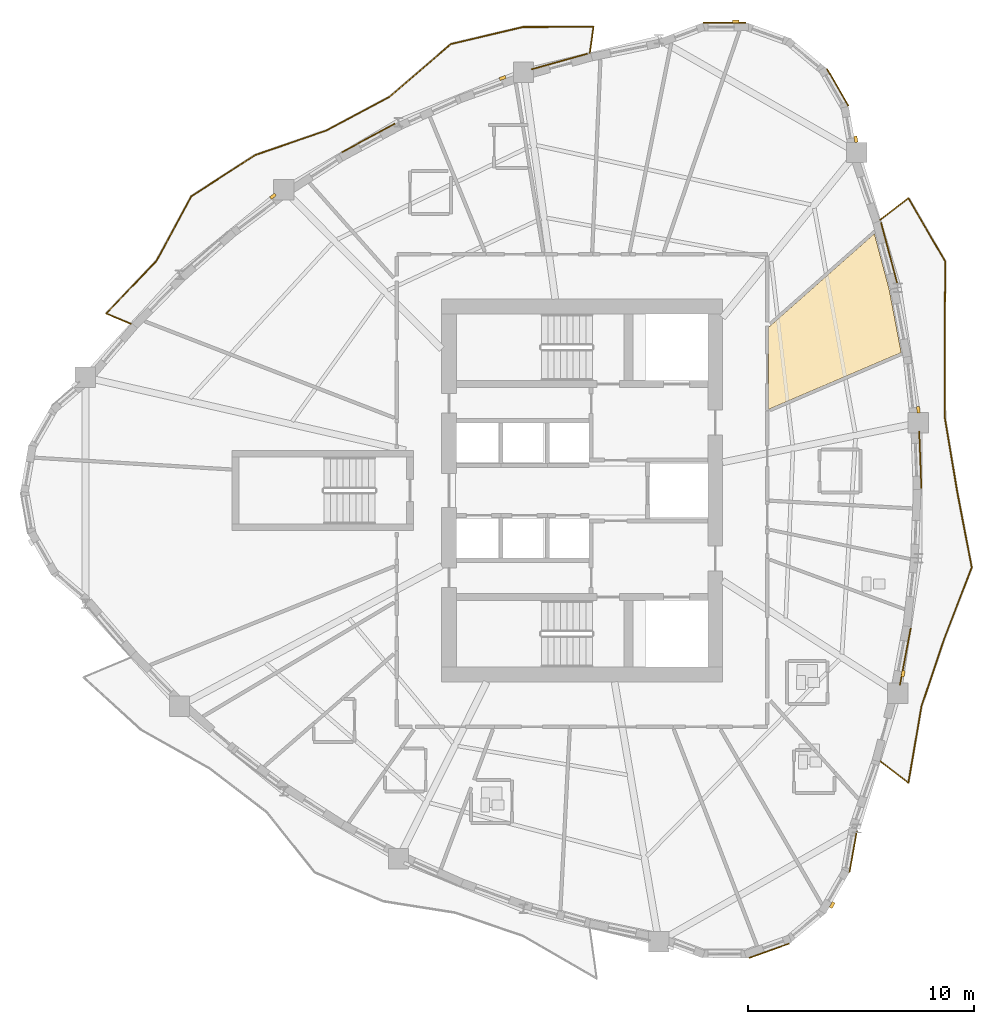
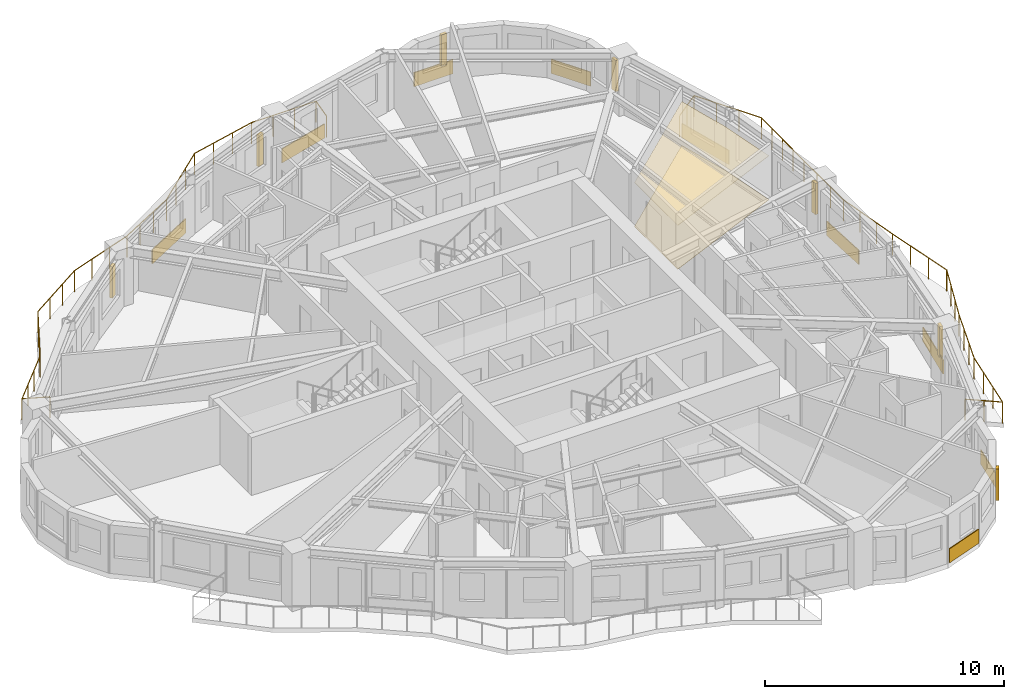
# One storey, part 12 of 13: 11 coverings, 7 shading devices, 2 railings.
"""IFC4 building model written with IfcOpenShell, lengths in metres."""

from ifc_helpers import new_model, si_unit, direction, frame, origin, origin_2d, place, context, subcontext, project, spatial, polyline, rectangle, circle, outline, extrude, source, transform, mapped, material, layer, layer_set, type_object, element, save


model = new_model("IFC4")

# Units and contexts
model_context = context("Model", 3, precision=1e-05, world=origin(), true_north=direction((0.0, 1.0)))
body_context = subcontext(model_context, "Body", "Model", "MODEL_VIEW")
ifc_project = project(units=[si_unit("LENGTHUNIT", "METRE"), si_unit("AREAUNIT", "SQUARE_METRE"), si_unit("VOLUMEUNIT", "CUBIC_METRE"), si_unit("PLANEANGLEUNIT", "RADIAN"), si_unit("MASSUNIT", "GRAM", prefix="KILO")], contexts=[model_context])

# Site, building, storey
site_placement = place(None, origin())
site = spatial("IfcSite", under=ifc_project, at=site_placement, CompositionType="ELEMENT")
building_placement = place(site_placement, origin())
building = spatial("IfcBuilding", under=site, at=building_placement, Name="Qafzar Sky-Pleat Residences", CompositionType="ELEMENT")
storey_placement = place(building_placement, frame((0.0, 0.0, 99.199951171875)))
storey = spatial("IfcBuildingStorey", under=building, at=storey_placement, Name="L29", CompositionType="ELEMENT", Elevation=99.199951171875)

# Coverings
ifc_material_1 = material(Name="Perforated acoustic gypsum board ceiling")
ifc_layer_1 = layer(ifc_material_1, 0.02001953125)
ifc_layer_set_1 = layer_set([ifc_layer_1], Name="Perforated acoustic gypsum board ceiling")
covering_type_1 = type_object("IfcCoveringType", Name="COV-CEIL-ACOUSTIC", PredefinedType="CEILING", material=ifc_layer_set_1)
covering_1_placement = place(storey_placement, frame((0.0, 0.0, 2.239990234375)))
element("IfcCovering", 1, at=covering_1_placement, inside=storey, type_object=covering_type_1, Name="L29 Communal Kitchen Acoustic Ceiling", PredefinedType="CEILING", context=body_context, shape_type="SweptSolid", body=[
    extrude(outline(polyline([(43.91162109375, 34.867431640625), (44.439453125, 32.089599609375), (38.590087890625, 29.58837890625), (38.590087890625, 33.20849609375), (43.25537109375, 37.335205078125), (43.91162109375, 34.867431640625)])), origin(), (0.0, 0.0, 1.0), 0.02001953125),
])
ifc_material_2 = material(Name="Honed porcelain and Riyadh stone tile flooring", Category="masonry")
ifc_layer_2 = layer(ifc_material_2, 0.02001953125)
ifc_layer_set_2 = layer_set([ifc_layer_2], Name="Honed porcelain and Riyadh stone tile flooring")
covering_type_2 = type_object("IfcCoveringType", Name="COV-FLR-PORCELAIN", PredefinedType="FLOORING", material=ifc_layer_set_2)
covering_2_placement = place(storey_placement, origin())
element("IfcCovering", 2, at=covering_2_placement, inside=storey, type_object=covering_type_2, Name="L29 Communal Kitchen Honed Stone Flooring", PredefinedType="FLOORING", context=body_context, shape_type="SweptSolid", body=[
    extrude(outline(polyline([(43.91162109375, 34.867431640625), (44.439453125, 32.089599609375), (38.590087890625, 29.58837890625), (38.590087890625, 33.20849609375), (43.25537109375, 37.335205078125), (43.91162109375, 34.867431640625)])), origin(), (0.0, 0.0, 1.0), 0.02001953125),
])

# Shading devices
ifc_material_3 = material(Name="Honed Riyadh limestone solar fin", Category="masonry")
ifc_layer_3 = layer(ifc_material_3, 0.139892578125)
ifc_layer_set_3 = layer_set([ifc_layer_3], Name="Honed Riyadh limestone solar fin")
shading_device_type = type_object("IfcShadingDeviceType", Name="SHD-FIN-STONE", PredefinedType="SHUTTER", material=ifc_layer_set_3)
shared_shape_1 = source(origin(), body_context, "Body", "SweptSolid", [
    extrude(rectangle(XDim=0.139892578125, YDim=0.280029296875, at=origin_2d()), origin(), (0.0, 0.0, 1.0), 1.60009765625),
])
for number, where, z_axis, x_axis, name in (
    (3, (41.394287109375, 7.69677734375, 0.60009765625), (0.0, 0.0, 1.0), (0.864886560434, -0.501967367047, 0.0), "L29 Limestone Solar Fin 21"),
    (4, (44.522705078125, 17.9111328125, 0.60009765625), (0.0, 0.0, 1.0), (0.982424029178, -0.18666286962, 0.0), "L29 Limestone Solar Fin 25"),
    (5, (45.19873046875, 29.564453125, 0.60009765625), (0.0, 0.0, 1.0), (0.993566321057, 0.11325177995, 0.0), "L29 Limestone Solar Fin 29"),
    (6, (42.439453125, 41.510986328125, 0.60009765625), (0.0, 0.0, 1.0), (0.984675881773, 0.174394403163, 0.0), "L29 Limestone Solar Fin 33"),
    (7, (37.140625, 46.702880859375, 0.60009765625), (0.0, 0.0, 1.0), (-0.006821730637, 0.999976731725, 0.0), "L29 Limestone Solar Fin 37"),
    (8, (26.839111328125, 44.211181640625, 0.60009765625), (0.0, 0.0, 1.0), (-0.338159399338, 0.94108884843, 0.0), "L29 Limestone Solar Fin 41"),
    (9, (16.702880859375, 38.9931640625, 0.60009765625), (0.0, 0.0, 1.0), (-0.602161786865, 0.798374086778, 0.0), "L29 Limestone Solar Fin 45"),
):
    element("IfcShadingDevice", number, at=place(storey_placement, frame(where, z_axis=z_axis, x_axis=x_axis)), inside=storey, type_object=shading_device_type, Name=name, PredefinedType="SHUTTER", context=body_context, shape_type="MappedRepresentation", body=[
        mapped(shared_shape_1, transform((0.0, 0.0, 0.0), x_axis=(1.0, 0.0, 0.0), y_axis=(0.0, 1.0, 0.0), z_axis=(0.0, 0.0, 1.0), scale=1.0)),
    ])

# Coverings
ifc_material_4 = material(Name="Honed Riyadh Tuwaiq limestone cladding", Category="masonry")
ifc_layer_4 = layer(ifc_material_4, 0.044921875)
ifc_layer_set_4 = layer_set([ifc_layer_4], Name="Honed Riyadh Tuwaiq limestone cladding")
covering_type_3 = type_object("IfcCoveringType", Name="COV-CLAD-STONE", PredefinedType="CLADDING", material=ifc_layer_set_4)
shared_shape_2 = source(origin(), body_context, "Body", "SweptSolid", [
    extrude(rectangle(XDim=1.88916015625, YDim=0.044921875, at=origin_2d()), origin(), (0.0, 0.0, 1.0), 0.719970703125),
])
for number, where, z_axis, x_axis, name in (
    (10, (38.609619140625, 5.678955078125, 0.02001953125), (0.0, 0.0, 1.0), (0.941488360606, 0.337045496698, 0.0), "L29 Riyadh Limestone Spandrel Cladding 19"),
    (11, (41.635986328125, 43.80126953125, 0.02001953125), (0.0, 0.0, 1.0), (-0.501956209509, 0.864893036008, 0.0), "L29 Riyadh Limestone Spandrel Cladding 34"),
    (12, (36.63818359375, 46.65625, 0.02001953125), (0.0, 0.0, 1.0), (-0.999976465978, -0.006860575119, 0.0), "L29 Riyadh Limestone Spandrel Cladding 37"),
):
    element("IfcCovering", number, at=place(storey_placement, frame(where, z_axis=z_axis, x_axis=x_axis)), inside=storey, type_object=covering_type_3, Name=name, PredefinedType="CLADDING", context=body_context, shape_type="MappedRepresentation", body=[
        mapped(shared_shape_2, transform((0.0, 0.0, 0.0), x_axis=(1.0, 0.0, 0.0), y_axis=(0.0, 1.0, 0.0), z_axis=(0.0, 0.0, 1.0), scale=1.0)),
    ])
shared_shape_3 = source(origin(), body_context, "Body", "SweptSolid", [
    extrude(rectangle(XDim=1.8369140625, YDim=0.044921875, at=origin_2d()), origin(), (0.0, 0.0, 1.0), 0.719970703125),
])
covering_3_placement = place(storey_placement, frame((42.317626953125, 10.04833984375, 0.02001953125), z_axis=(0.0, 0.0, 1.0), x_axis=(0.174369449256, 0.984680300994, 0.0)))
element("IfcCovering", 13, at=covering_3_placement, inside=storey, type_object=covering_type_3, Name="L29 Riyadh Limestone Spandrel Cladding 22", PredefinedType="CLADDING", context=body_context, shape_type="MappedRepresentation", body=[
    mapped(shared_shape_3, transform((0.0, 0.0, 0.0), x_axis=(1.0, 0.0, 0.0), y_axis=(0.0, 1.0, 0.0), z_axis=(0.0, 0.0, 1.0), scale=1.0)),
])

# Railings
ifc_material_5 = material(Name="Laminated glass and bronze steel balustrade", Category="steel")
railing_type = type_object("IfcRailingType", Name="RAIL-BAL-1100", PredefinedType="BALUSTRADE", material=ifc_material_5)
shared_shape_4 = source(origin(), body_context, "Body", "SweptSolid", [
    extrude(circle(Radius=0.02392578125, at=origin_2d()), frame((0.0, 0.0, 1.076171875), z_axis=(0.792134861586, -0.610346099406, 0.0), x_axis=(0.610346099406, 0.792134861586, 0.0)), (0.0, 0.0, 1.0), 1.578125),
    extrude(circle(Radius=0.02392578125, at=origin_2d()), frame((1.25, -0.963134765625, 1.076171875), z_axis=(0.16829814939, 0.98573613757, 0.0), x_axis=(-0.98573613757, 0.16829814939, 0.0)), (0.0, 0.0, 1.0), 3.4306640625),
    extrude(circle(Radius=0.02392578125, at=origin_2d()), frame((1.827392578125, 2.418701171875, 1.076171875), z_axis=(0.320144738717, 0.947368643281, 0.0), x_axis=(-0.947368643281, 0.320144738717, 0.0)), (0.0, 0.0, 1.0), 3.1953125),
    extrude(circle(Radius=0.02392578125, at=origin_2d()), frame((2.850341796875, 5.44580078125, 1.076171875), z_axis=(0.359283753865, 0.93322836659, 0.0), x_axis=(-0.93322836659, 0.359283753865, 0.0)), (0.0, 0.0, 1.0), 3.328857421875),
    extrude(circle(Radius=0.02392578125, at=origin_2d()), frame((4.04638671875, 8.552490234375, 1.076171875), z_axis=(-0.188514556137, 0.982070395707, 0.0), x_axis=(-0.982070395707, -0.188514556137, 0.0)), (0.0, 0.0, 1.0), 3.455322265625),
    extrude(circle(Radius=0.02392578125, at=origin_2d()), frame((3.39501953125, 11.94580078125, 1.076171875), z_axis=(-0.164227484923, 0.986422492239, 0.0), x_axis=(-0.986422492239, -0.164227484923, 0.0)), (0.0, 0.0, 1.0), 3.23193359375),
    extrude(circle(Radius=0.02392578125, at=origin_2d()), frame((2.8642578125, 15.1337890625, 1.076171875), z_axis=(-0.004201643584, 0.999991173057, 0.0), x_axis=(-0.999991173057, -0.004201643584, 0.0)), (0.0, 0.0, 1.0), 3.31201171875),
    extrude(circle(Radius=0.02392578125, at=origin_2d()), frame((2.850341796875, 18.44580078125, 1.076171875), z_axis=(0.007923359565, 0.999968609694, 0.0), x_axis=(-0.999968609694, 0.007923359565, 0.0)), (0.0, 0.0, 1.0), 3.60498046875),
    extrude(circle(Radius=0.02392578125, at=origin_2d()), frame((2.87890625, 22.05078125, 1.076171875), z_axis=(-0.502320766791, 0.864681355905, 0.0), x_axis=(-0.864681355905, -0.502320766791, 0.0)), (0.0, 0.0, 1.0), 3.24267578125),
    extrude(circle(Radius=0.02392578125, at=origin_2d()), frame((1.25, 24.854736328125, 1.076171875), z_axis=(-0.792134861586, -0.610346099406, 0.0), x_axis=(0.610346099406, -0.792134861586, 0.0)), (0.0, 0.0, 1.0), 1.578125),
    extrude(circle(Radius=0.02099609375, at=origin_2d()), origin(), (0.0, 0.0, 1.0), 1.052001953125),
    extrude(circle(Radius=0.02099609375, at=origin_2d()), frame((0.625, -0.4814453125, 0.0)), (0.0, 0.0, 1.0), 1.052001953125),
    extrude(circle(Radius=0.02099609375, at=origin_2d()), frame((1.25, -0.963134765625, 0.0)), (0.0, 0.0, 1.0), 1.052001953125),
    extrude(circle(Radius=0.02099609375, at=origin_2d()), frame((1.4423828125, 0.1640625, 0.0)), (0.0, 0.0, 1.0), 1.052001953125),
    extrude(circle(Radius=0.02099609375, at=origin_2d()), frame((1.635009765625, 1.29150390625, 0.0)), (0.0, 0.0, 1.0), 1.052001953125),
    extrude(circle(Radius=0.02099609375, at=origin_2d()), frame((1.827392578125, 2.418701171875, 0.0)), (0.0, 0.0, 1.0), 1.052001953125),
    extrude(circle(Radius=0.02099609375, at=origin_2d()), frame((2.16845703125, 3.427734375, 0.0)), (0.0, 0.0, 1.0), 1.052001953125),
    extrude(circle(Radius=0.02099609375, at=origin_2d()), frame((2.50927734375, 4.436767578125, 0.0)), (0.0, 0.0, 1.0), 1.052001953125),
    extrude(circle(Radius=0.02099609375, at=origin_2d()), frame((2.850341796875, 5.44580078125, 0.0)), (0.0, 0.0, 1.0), 1.052001953125),
    extrude(circle(Radius=0.02099609375, at=origin_2d()), frame((3.2490234375, 6.4814453125, 0.0)), (0.0, 0.0, 1.0), 1.052001953125),
    extrude(circle(Radius=0.02099609375, at=origin_2d()), frame((3.647705078125, 7.516845703125, 0.0)), (0.0, 0.0, 1.0), 1.052001953125),
    extrude(circle(Radius=0.02099609375, at=origin_2d()), frame((4.04638671875, 8.552490234375, 0.0)), (0.0, 0.0, 1.0), 1.052001953125),
    extrude(circle(Radius=0.02099609375, at=origin_2d()), frame((3.829345703125, 9.68359375, 0.0)), (0.0, 0.0, 1.0), 1.052001953125),
    extrude(circle(Radius=0.02099609375, at=origin_2d()), frame((3.612060546875, 10.814697265625, 0.0)), (0.0, 0.0, 1.0), 1.052001953125),
    extrude(circle(Radius=0.02099609375, at=origin_2d()), frame((3.39501953125, 11.94580078125, 0.0)), (0.0, 0.0, 1.0), 1.052001953125),
    extrude(circle(Radius=0.02099609375, at=origin_2d()), frame((3.218017578125, 13.008544921875, 0.0)), (0.0, 0.0, 1.0), 1.052001953125),
    extrude(circle(Radius=0.02099609375, at=origin_2d()), frame((3.041259765625, 14.071044921875, 0.0)), (0.0, 0.0, 1.0), 1.052001953125),
    extrude(circle(Radius=0.02099609375, at=origin_2d()), frame((2.8642578125, 15.1337890625, 0.0)), (0.0, 0.0, 1.0), 1.052001953125),
    extrude(circle(Radius=0.02099609375, at=origin_2d()), frame((2.859619140625, 16.23779296875, 0.0)), (0.0, 0.0, 1.0), 1.052001953125),
    extrude(circle(Radius=0.02099609375, at=origin_2d()), frame((2.85498046875, 17.341796875, 0.0)), (0.0, 0.0, 1.0), 1.052001953125),
    extrude(circle(Radius=0.02099609375, at=origin_2d()), frame((2.850341796875, 18.44580078125, 0.0)), (0.0, 0.0, 1.0), 1.052001953125),
    extrude(circle(Radius=0.02099609375, at=origin_2d()), frame((2.857421875, 19.34716796875, 0.0)), (0.0, 0.0, 1.0), 1.052001953125),
    extrude(circle(Radius=0.02099609375, at=origin_2d()), frame((2.86474609375, 20.248291015625, 0.0)), (0.0, 0.0, 1.0), 1.052001953125),
    extrude(circle(Radius=0.02099609375, at=origin_2d()), frame((2.871826171875, 21.1494140625, 0.0)), (0.0, 0.0, 1.0), 1.052001953125),
    extrude(circle(Radius=0.02099609375, at=origin_2d()), frame((2.87890625, 22.05078125, 0.0)), (0.0, 0.0, 1.0), 1.052001953125),
    extrude(circle(Radius=0.02099609375, at=origin_2d()), frame((2.3359375, 22.9853515625, 0.0)), (0.0, 0.0, 1.0), 1.052001953125),
    extrude(circle(Radius=0.02099609375, at=origin_2d()), frame((1.79296875, 23.920166015625, 0.0)), (0.0, 0.0, 1.0), 1.052001953125),
    extrude(circle(Radius=0.02099609375, at=origin_2d()), frame((1.25, 24.854736328125, 0.0)), (0.0, 0.0, 1.0), 1.052001953125),
    extrude(circle(Radius=0.02099609375, at=origin_2d()), frame((0.625, 24.373046875, 0.0)), (0.0, 0.0, 1.0), 1.052001953125),
    extrude(circle(Radius=0.02099609375, at=origin_2d()), frame((0.0, 23.8916015625, 0.0)), (0.0, 0.0, 1.0), 1.052001953125),
])
railing_1_placement = place(storey_placement, frame((43.5078125, 14.05419921875, 0.0)))
element("IfcRailing", 14, at=railing_1_placement, inside=storey, type_object=railing_type, Name="L29 Pleated Balcony 1 Balustrade", PredefinedType="BALUSTRADE", context=body_context, shape_type="MappedRepresentation", body=[
    mapped(shared_shape_4, transform((0.0, 0.0, 0.0), x_axis=(1.0, 0.0, 0.0), y_axis=(0.0, 1.0, 0.0), z_axis=(0.0, 0.0, 1.0), scale=1.0)),
])
shared_shape_5 = source(origin(), body_context, "Body", "SweptSolid", [
    extrude(circle(Radius=0.02392578125, at=origin_2d()), frame((0.0, 0.0, 1.076171875), z_axis=(0.138025835279, 0.990428628825, 0.0), x_axis=(-0.990428628825, 0.138025835279, 0.0)), (0.0, 0.0, 1.0), 1.177978515625),
    extrude(circle(Radius=0.02392578125, at=origin_2d()), frame((0.16259765625, 1.166748046875, 1.076171875), z_axis=(-0.999996662065, -0.002583768388, 0.0), x_axis=(0.002583768388, -0.999996662065, 0.0)), (0.0, 0.0, 1.0), 3.1181640625),
    extrude(circle(Radius=0.02392578125, at=origin_2d()), frame((-2.95556640625, 1.15869140625, 1.076171875), z_axis=(-0.973163944314, -0.230112879882, 0.0), x_axis=(0.230112879882, -0.973163944314, 0.0)), (0.0, 0.0, 1.0), 3.269775390625),
    extrude(circle(Radius=0.02392578125, at=origin_2d()), frame((-6.1376953125, 0.40625, 1.076171875), z_axis=(-0.75763261698, -0.652681252747, 0.0), x_axis=(0.652681252747, -0.75763261698, 0.0)), (0.0, 0.0, 1.0), 3.57080078125),
    extrude(circle(Radius=0.02392578125, at=origin_2d()), frame((-8.843017578125, -1.92431640625, 1.076171875), z_axis=(-0.882195949825, -0.470882475903, 0.0), x_axis=(0.470882475903, -0.882195949825, 0.0)), (0.0, 0.0, 1.0), 3.1435546875),
    extrude(circle(Radius=0.02392578125, at=origin_2d()), frame((-11.6162109375, -3.404541015625, 1.076171875), z_axis=(-0.94559712161, -0.325339950826, 0.0), x_axis=(0.325339950826, -0.94559712161, 0.0)), (0.0, 0.0, 1.0), 3.330322265625),
    extrude(circle(Radius=0.02392578125, at=origin_2d()), frame((-14.765380859375, -4.488037109375, 1.076171875), z_axis=(-0.840181380726, -0.542305492763, 0.0), x_axis=(0.542305492763, -0.840181380726, 0.0)), (0.0, 0.0, 1.0), 3.362060546875),
    extrude(circle(Radius=0.02392578125, at=origin_2d()), frame((-17.590087890625, -6.311279296875, 1.076171875), z_axis=(-0.475515457423, -0.879707365976, 0.0), x_axis=(0.879707365976, -0.475515457423, 0.0)), (0.0, 0.0, 1.0), 3.23828125),
    extrude(circle(Radius=0.02392578125, at=origin_2d()), frame((-19.1298828125, -9.159912109375, 1.076171875), z_axis=(-0.689522572327, -0.724264193683, 0.0), x_axis=(0.724264193683, -0.689522572327, 0.0)), (0.0, 0.0, 1.0), 3.218505859375),
    extrude(circle(Radius=0.02392578125, at=origin_2d()), frame((-21.34912109375, -11.490966796875, 1.076171875), z_axis=(0.922351683959, -0.386351357056, 0.0), x_axis=(0.386351357056, 0.922351683959, 0.0)), (0.0, 0.0, 1.0), 1.177978515625),
    extrude(circle(Radius=0.02099609375, at=origin_2d()), origin(), (0.0, 0.0, 1.0), 1.052001953125),
    extrude(circle(Radius=0.02099609375, at=origin_2d()), frame((0.16259765625, 1.166748046875, 0.0)), (0.0, 0.0, 1.0), 1.052001953125),
    extrude(circle(Radius=0.02099609375, at=origin_2d()), frame((-0.876708984375, 1.1640625, 0.0)), (0.0, 0.0, 1.0), 1.052001953125),
    extrude(circle(Radius=0.02099609375, at=origin_2d()), frame((-1.916259765625, 1.161376953125, 0.0)), (0.0, 0.0, 1.0), 1.052001953125),
    extrude(circle(Radius=0.02099609375, at=origin_2d()), frame((-2.95556640625, 1.15869140625, 0.0)), (0.0, 0.0, 1.0), 1.052001953125),
    extrude(circle(Radius=0.02099609375, at=origin_2d()), frame((-4.016357421875, 0.907958984375, 0.0)), (0.0, 0.0, 1.0), 1.052001953125),
    extrude(circle(Radius=0.02099609375, at=origin_2d()), frame((-5.076904296875, 0.656982421875, 0.0)), (0.0, 0.0, 1.0), 1.052001953125),
    extrude(circle(Radius=0.02099609375, at=origin_2d()), frame((-6.1376953125, 0.40625, 0.0)), (0.0, 0.0, 1.0), 1.052001953125),
    extrude(circle(Radius=0.02099609375, at=origin_2d()), frame((-7.03955078125, -0.37060546875, 0.0)), (0.0, 0.0, 1.0), 1.052001953125),
    extrude(circle(Radius=0.02099609375, at=origin_2d()), frame((-7.941162109375, -1.1474609375, 0.0)), (0.0, 0.0, 1.0), 1.052001953125),
    extrude(circle(Radius=0.02099609375, at=origin_2d()), frame((-8.843017578125, -1.92431640625, 0.0)), (0.0, 0.0, 1.0), 1.052001953125),
    extrude(circle(Radius=0.02099609375, at=origin_2d()), frame((-9.767333984375, -2.417724609375, 0.0)), (0.0, 0.0, 1.0), 1.052001953125),
    extrude(circle(Radius=0.02099609375, at=origin_2d()), frame((-10.69189453125, -2.9111328125, 0.0)), (0.0, 0.0, 1.0), 1.052001953125),
    extrude(circle(Radius=0.02099609375, at=origin_2d()), frame((-11.6162109375, -3.404541015625, 0.0)), (0.0, 0.0, 1.0), 1.052001953125),
    extrude(circle(Radius=0.02099609375, at=origin_2d()), frame((-12.666015625, -3.765625, 0.0)), (0.0, 0.0, 1.0), 1.052001953125),
    extrude(circle(Radius=0.02099609375, at=origin_2d()), frame((-13.715576171875, -4.126953125, 0.0)), (0.0, 0.0, 1.0), 1.052001953125),
    extrude(circle(Radius=0.02099609375, at=origin_2d()), frame((-14.765380859375, -4.488037109375, 0.0)), (0.0, 0.0, 1.0), 1.052001953125),
    extrude(circle(Radius=0.02099609375, at=origin_2d()), frame((-15.70703125, -5.095703125, 0.0)), (0.0, 0.0, 1.0), 1.052001953125),
    extrude(circle(Radius=0.02099609375, at=origin_2d()), frame((-16.6484375, -5.70361328125, 0.0)), (0.0, 0.0, 1.0), 1.052001953125),
    extrude(circle(Radius=0.02099609375, at=origin_2d()), frame((-17.590087890625, -6.311279296875, 0.0)), (0.0, 0.0, 1.0), 1.052001953125),
    extrude(circle(Radius=0.02099609375, at=origin_2d()), frame((-18.103271484375, -7.2607421875, 0.0)), (0.0, 0.0, 1.0), 1.052001953125),
    extrude(circle(Radius=0.02099609375, at=origin_2d()), frame((-18.61669921875, -8.21044921875, 0.0)), (0.0, 0.0, 1.0), 1.052001953125),
    extrude(circle(Radius=0.02099609375, at=origin_2d()), frame((-19.1298828125, -9.159912109375, 0.0)), (0.0, 0.0, 1.0), 1.052001953125),
    extrude(circle(Radius=0.02099609375, at=origin_2d()), frame((-19.86962890625, -9.93701171875, 0.0)), (0.0, 0.0, 1.0), 1.052001953125),
    extrude(circle(Radius=0.02099609375, at=origin_2d()), frame((-20.609375, -10.7138671875, 0.0)), (0.0, 0.0, 1.0), 1.052001953125),
    extrude(circle(Radius=0.02099609375, at=origin_2d()), frame((-21.34912109375, -11.490966796875, 0.0)), (0.0, 0.0, 1.0), 1.052001953125),
    extrude(circle(Radius=0.02099609375, at=origin_2d()), frame((-20.2626953125, -11.946044921875, 0.0)), (0.0, 0.0, 1.0), 1.052001953125),
])
railing_2_placement = place(storey_placement, frame((30.69189453125, 45.304931640625, 0.0)))
element("IfcRailing", 15, at=railing_2_placement, inside=storey, type_object=railing_type, Name="L29 Pleated Balcony 2 Balustrade", PredefinedType="BALUSTRADE", context=body_context, shape_type="MappedRepresentation", body=[
    mapped(shared_shape_5, transform((0.0, 0.0, 0.0), x_axis=(1.0, 0.0, 0.0), y_axis=(0.0, 1.0, 0.0), z_axis=(0.0, 0.0, 1.0), scale=1.0)),
])

# Coverings
shared_shape_6 = source(origin(), body_context, "Body", "SweptSolid", [
    extrude(rectangle(XDim=2.5615234375, YDim=0.044921875, at=origin_2d()), origin(), (0.0, 0.0, 1.0), 0.719970703125),
])
covering_4_placement = place(storey_placement, frame((44.622314453125, 18.666015625, 0.02001953125), z_axis=(0.0, 0.0, 1.0), x_axis=(0.186674549414, 0.982421809917, 0.0)))
element("IfcCovering", 16, at=covering_4_placement, inside=storey, type_object=covering_type_3, Name="L29 Riyadh Limestone Spandrel Cladding 25", PredefinedType="CLADDING", context=body_context, shape_type="MappedRepresentation", body=[
    mapped(shared_shape_6, transform((0.0, 0.0, 0.0), x_axis=(1.0, 0.0, 0.0), y_axis=(0.0, 1.0, 0.0), z_axis=(0.0, 0.0, 1.0), scale=1.0)),
])
shared_shape_7 = source(origin(), body_context, "Body", "SweptSolid", [
    extrude(rectangle(XDim=2.515380859375, YDim=0.044921875, at=origin_2d()), origin(), (0.0, 0.0, 1.0), 0.719970703125),
])
covering_5_placement = place(storey_placement, frame((45.283203125, 27.359375, 0.02001953125), z_axis=(0.0, 0.0, 1.0), x_axis=(-0.037963161228, 0.999279139375, 0.0)))
element("IfcCovering", 17, at=covering_5_placement, inside=storey, type_object=covering_type_3, Name="L29 Riyadh Limestone Spandrel Cladding 28", PredefinedType="CLADDING", context=body_context, shape_type="MappedRepresentation", body=[
    mapped(shared_shape_7, transform((0.0, 0.0, 0.0), x_axis=(1.0, 0.0, 0.0), y_axis=(0.0, 1.0, 0.0), z_axis=(0.0, 0.0, 1.0), scale=1.0)),
])
shared_shape_8 = source(origin(), body_context, "Body", "SweptSolid", [
    extrude(rectangle(XDim=2.795654296875, YDim=0.044921875, at=origin_2d()), origin(), (0.0, 0.0, 1.0), 0.719970703125),
])
covering_6_placement = place(storey_placement, frame((43.908935546875, 36.47998046875, 0.02001953125), z_axis=(0.0, 0.0, 1.0), x_axis=(-0.257081553547, 0.966389711672, 0.0)))
element("IfcCovering", 18, at=covering_6_placement, inside=storey, type_object=covering_type_3, Name="L29 Riyadh Limestone Spandrel Cladding 31", PredefinedType="CLADDING", context=body_context, shape_type="MappedRepresentation", body=[
    mapped(shared_shape_8, transform((0.0, 0.0, 0.0), x_axis=(1.0, 0.0, 0.0), y_axis=(0.0, 1.0, 0.0), z_axis=(0.0, 0.0, 1.0), scale=1.0)),
])
shared_shape_9 = source(origin(), body_context, "Body", "SweptSolid", [
    extrude(rectangle(XDim=2.563720703125, YDim=0.044921875, at=origin_2d()), origin(), (0.0, 0.0, 1.0), 0.719970703125),
])
covering_7_placement = place(storey_placement, frame((29.34912109375, 44.940673828125, 0.02001953125), z_axis=(0.0, 0.0, 1.0), x_axis=(-0.963029981649, -0.269394236101, 0.0)))
element("IfcCovering", 19, at=covering_7_placement, inside=storey, type_object=covering_type_3, Name="L29 Riyadh Limestone Spandrel Cladding 40", PredefinedType="CLADDING", context=body_context, shape_type="MappedRepresentation", body=[
    mapped(shared_shape_9, transform((0.0, 0.0, 0.0), x_axis=(1.0, 0.0, 0.0), y_axis=(0.0, 1.0, 0.0), z_axis=(0.0, 0.0, 1.0), scale=1.0)),
])
shared_shape_10 = source(origin(), body_context, "Body", "SweptSolid", [
    extrude(rectangle(XDim=2.66259765625, YDim=0.044921875, at=origin_2d()), origin(), (0.0, 0.0, 1.0), 0.719970703125),
])
covering_8_placement = place(storey_placement, frame((20.916015625, 41.56640625, 0.02001953125), z_axis=(0.0, 0.0, 1.0), x_axis=(-0.880074639523, -0.474835370279, 0.0)))
element("IfcCovering", 20, at=covering_8_placement, inside=storey, type_object=covering_type_3, Name="L29 Riyadh Limestone Spandrel Cladding 43", PredefinedType="CLADDING", context=body_context, shape_type="MappedRepresentation", body=[
    mapped(shared_shape_10, transform((0.0, 0.0, 0.0), x_axis=(1.0, 0.0, 0.0), y_axis=(0.0, 1.0, 0.0), z_axis=(0.0, 0.0, 1.0), scale=1.0)),
])

save(model, "model.ifc")
